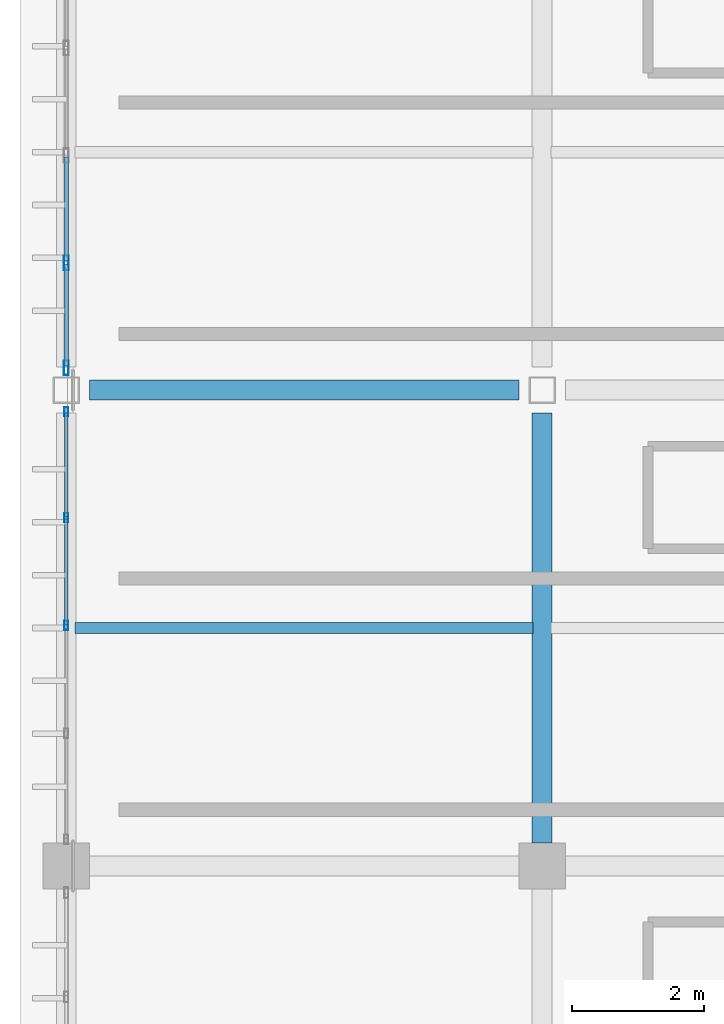
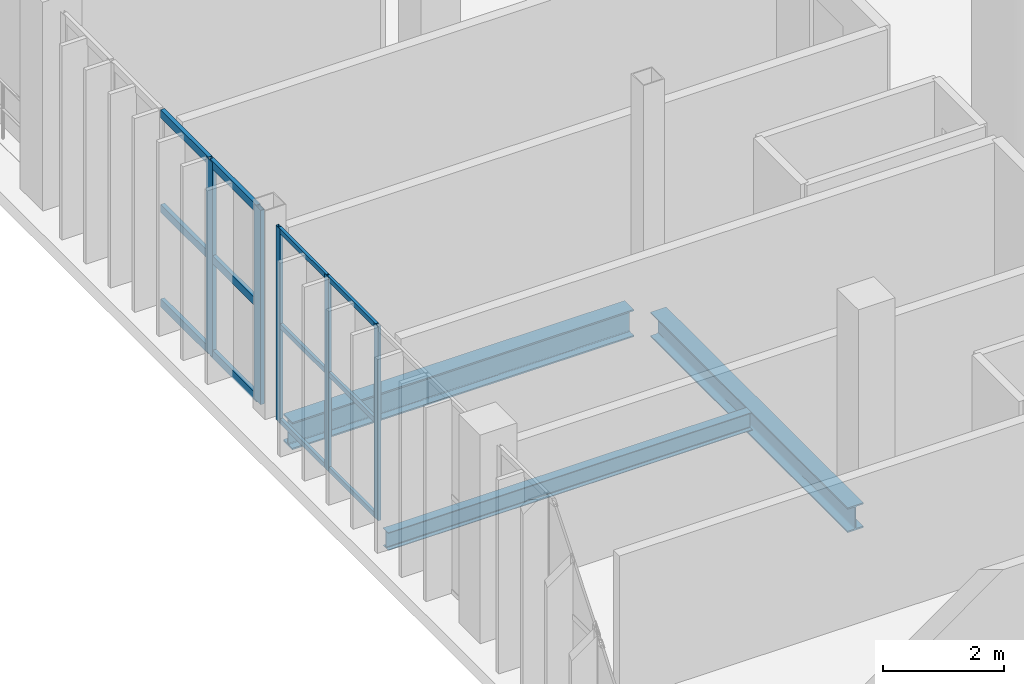
# One storey, part 22 of 130: 17 members, 3 beams, 2 elements without a shape of their own.
"""IFC4 building model written with IfcOpenShell, lengths in metres."""

from ifc_helpers import new_model, si_unit, direction, frame, origin, origin_2d, place, context, subcontext, project, spatial, hollow_rectangle, i_section, extrude, material, material_profile, profile_set, type_object, element, aggregate, save


model = new_model("IFC4")

# Units and contexts
model_context = context("Model", 3, precision=1e-05, world=origin(), true_north=direction((0.0, 1.0)))
body_context = subcontext(model_context, "Body", "Model", "MODEL_VIEW")
ifc_project = project(units=[si_unit("LENGTHUNIT", "METRE"), si_unit("AREAUNIT", "SQUARE_METRE"), si_unit("VOLUMEUNIT", "CUBIC_METRE"), si_unit("PLANEANGLEUNIT", "RADIAN"), si_unit("MASSUNIT", "GRAM", prefix="KILO")], contexts=[model_context])

# Site, building, storey
site_placement = place(None, origin())
site = spatial("IfcSite", under=ifc_project, at=site_placement, CompositionType="ELEMENT")
building_placement = place(site_placement, origin())
building = spatial("IfcBuilding", under=site, at=building_placement, Name="Qandorah Velis Arena", CompositionType="ELEMENT")
storey_placement = place(building_placement, frame((0.0, 0.0, 9.60009765625)))
storey = spatial("IfcBuildingStorey", under=building, at=storey_placement, Name="L02", CompositionType="ELEMENT", Elevation=9.60009765625)

# Curtain wall, members
ifc_material_1 = material(Name="Solar-control low-E double glazing", Category="glass")
curtain_wall_type_1 = type_object("IfcCurtainWallType", Name="ARC-CW-SYS12", PredefinedType="USERDEFINED", material=ifc_material_1)
curtain_wall_1_placement = place(storey_placement, origin())
curtain_wall_1 = element("IfcCurtainWall", 1, at=curtain_wall_1_placement, inside=storey, type_object=curtain_wall_type_1, Name="Unitised curtain wall L02-012", ObjectType="UNITISED CURTAIN WALL", PredefinedType="USERDEFINED")
ifc_material_2 = material(Name="Champagne-bronze anodized aluminium 6063-T6", Category="aluminium")
ifc_material_profile_1 = material_profile(ifc_material_2, hollow_rectangle(XDim=0.054931640625, YDim=0.139892578125, WallThickness=0.0029296875, at=origin_2d()), Name="ALU MULLION 55x140")
ifc_profile_set_1 = profile_set([ifc_material_profile_1], Name="Champagne-bronze anodized aluminium 6063-T6")
member_type_1 = type_object("IfcMemberType", Name="ARC-CWM-140", PredefinedType="MULLION", material=ifc_profile_set_1)
member_1_placement = place(storey_placement, frame((0.0, 25.237548828125, -0.01513671875), z_axis=(0.0, 0.0, 1.0), x_axis=(-1.0, 0.0, 0.0)))
member_1 = element("IfcMember", 2, at=member_1_placement, type_object=member_type_1, Name="CW12 mullion 3", PredefinedType="MULLION", context=body_context, shape_type="SweptSolid", body=[
    extrude(hollow_rectangle(XDim=0.054931640625, YDim=0.139892578125, WallThickness=0.0029296875, at=origin_2d()), origin(), (0.0, 0.0, 1.0), 3.91015625),
])
member_2_placement = place(storey_placement, frame((0.0, 26.86865234375, -0.01513671875), z_axis=(0.0, 0.0, 1.0), x_axis=(-1.0, 0.0, 0.0)))
member_2 = element("IfcMember", 3, at=member_2_placement, type_object=member_type_1, Name="CW12 mullion 4", PredefinedType="MULLION", context=body_context, shape_type="SweptSolid", body=[
    extrude(hollow_rectangle(XDim=0.054931640625, YDim=0.139892578125, WallThickness=0.0029296875, at=origin_2d()), origin(), (0.0, 0.0, 1.0), 3.91015625),
])
member_3_placement = place(storey_placement, frame((0.0, 28.472412109375, -0.01513671875), z_axis=(0.0, 0.0, 1.0), x_axis=(-1.0, 0.0, 0.0)))
member_3 = element("IfcMember", 4, at=member_3_placement, type_object=member_type_1, Name="CW12 mullion 5", PredefinedType="MULLION", context=body_context, shape_type="SweptSolid", body=[
    extrude(hollow_rectangle(XDim=0.054931640625, YDim=0.139892578125, WallThickness=0.0029296875, at=origin_2d()), origin(), (0.0, 0.0, 1.0), 3.91015625),
])

curtain_wall_type_2 = type_object("IfcCurtainWallType", Name="ARC-CW-SYS13", PredefinedType="USERDEFINED", material=ifc_material_1)
curtain_wall_2_placement = place(storey_placement, origin())
curtain_wall_2 = element("IfcCurtainWall", 5, at=curtain_wall_2_placement, inside=storey, type_object=curtain_wall_type_2, Name="Unitised curtain wall L02-013", ObjectType="UNITISED CURTAIN WALL", PredefinedType="USERDEFINED")
ifc_material_profile_2 = material_profile(ifc_material_2, hollow_rectangle(XDim=0.074951171875, YDim=0.219970703125, WallThickness=0.00390625, at=origin_2d()), Name="ALU MULLION 75x220")
ifc_profile_set_2 = profile_set([ifc_material_profile_2], Name="Champagne-bronze anodized aluminium 6063-T6")
member_type_2 = type_object("IfcMemberType", Name="ARC-CWM-220", PredefinedType="MULLION", material=ifc_profile_set_2)
member_4_placement = place(storey_placement, frame((0.0, 29.137451171875, -0.01513671875), z_axis=(0.0, 0.0, 1.0), x_axis=(-1.0, 0.0, 0.0)))
member_4 = element("IfcMember", 6, at=member_4_placement, type_object=member_type_2, Name="CW13 mullion 1", PredefinedType="MULLION", context=body_context, shape_type="SweptSolid", body=[
    extrude(hollow_rectangle(XDim=0.074951171875, YDim=0.219970703125, WallThickness=0.00390625, at=origin_2d()), origin(), (0.0, 0.0, 1.0), 3.91015625),
])
member_5_placement = place(storey_placement, frame((0.0, 30.72509765625, -0.01513671875), z_axis=(0.0, 0.0, 1.0), x_axis=(-1.0, 0.0, 0.0)))
member_5 = element("IfcMember", 7, at=member_5_placement, type_object=member_type_2, Name="CW13 mullion 2", PredefinedType="MULLION", context=body_context, shape_type="SweptSolid", body=[
    extrude(hollow_rectangle(XDim=0.074951171875, YDim=0.219970703125, WallThickness=0.00390625, at=origin_2d()), origin(), (0.0, 0.0, 1.0), 3.91015625),
])

# Member
ifc_material_profile_3 = material_profile(ifc_material_2, hollow_rectangle(XDim=0.054931640625, YDim=0.10009765625, WallThickness=0.0029296875, at=origin_2d()), Name="ALU TRANSOM 55x100")
ifc_profile_set_3 = profile_set([ifc_material_profile_3], Name="Champagne-bronze anodized aluminium 6063-T6")
member_type_3 = type_object("IfcMemberType", Name="ARC-CWT-100", PredefinedType="USERDEFINED", material=ifc_profile_set_3)
member_6_placement = place(storey_placement, frame((0.0, 25.2529296875, 0.02734375), z_axis=(0.0, 1.0, 0.0), x_axis=(-1.0, 0.0, 0.0)))
member_6 = element("IfcMember", 8, at=member_6_placement, type_object=member_type_3, Name="CW12 transom 3.1", ObjectType="TRANSOM", PredefinedType="USERDEFINED", context=body_context, shape_type="SweptSolid", body=[
    extrude(hollow_rectangle(XDim=0.054931640625, YDim=0.10009765625, WallThickness=0.0029296875, at=origin_2d()), origin(), (0.0, 0.0, 1.0), 1.600341796875),
])

member_7_placement = place(storey_placement, frame((0.0, 25.2529296875, 1.93994140625), z_axis=(0.0, 1.0, 0.0), x_axis=(-1.0, 0.0, 0.0)))
member_7 = element("IfcMember", 9, at=member_7_placement, type_object=member_type_3, Name="CW12 transom 3.2", ObjectType="TRANSOM", PredefinedType="USERDEFINED", context=body_context, shape_type="SweptSolid", body=[
    extrude(hollow_rectangle(XDim=0.054931640625, YDim=0.10009765625, WallThickness=0.0029296875, at=origin_2d()), origin(), (0.0, 0.0, 1.0), 1.600341796875),
])

member_8_placement = place(storey_placement, frame((0.0, 25.2529296875, 3.852294921875), z_axis=(0.0, 1.0, 0.0), x_axis=(-1.0, 0.0, 0.0)))
member_8 = element("IfcMember", 10, at=member_8_placement, type_object=member_type_3, Name="CW12 transom 3.3", ObjectType="TRANSOM", PredefinedType="USERDEFINED", context=body_context, shape_type="SweptSolid", body=[
    extrude(hollow_rectangle(XDim=0.054931640625, YDim=0.10009765625, WallThickness=0.0029296875, at=origin_2d()), origin(), (0.0, 0.0, 1.0), 1.600341796875),
])

member_9_placement = place(storey_placement, frame((0.0, 26.88427734375, 0.02734375), z_axis=(0.0, 1.0, 0.0), x_axis=(-1.0, 0.0, 0.0)))
member_9 = element("IfcMember", 11, at=member_9_placement, type_object=member_type_3, Name="CW12 transom 4.1", ObjectType="TRANSOM", PredefinedType="USERDEFINED", context=body_context, shape_type="SweptSolid", body=[
    extrude(hollow_rectangle(XDim=0.054931640625, YDim=0.10009765625, WallThickness=0.0029296875, at=origin_2d()), origin(), (0.0, 0.0, 1.0), 1.57275390625),
])

member_10_placement = place(storey_placement, frame((0.0, 26.88427734375, 1.93994140625), z_axis=(0.0, 1.0, 0.0), x_axis=(-1.0, 0.0, 0.0)))
member_10 = element("IfcMember", 12, at=member_10_placement, type_object=member_type_3, Name="CW12 transom 4.2", ObjectType="TRANSOM", PredefinedType="USERDEFINED", context=body_context, shape_type="SweptSolid", body=[
    extrude(hollow_rectangle(XDim=0.054931640625, YDim=0.10009765625, WallThickness=0.0029296875, at=origin_2d()), origin(), (0.0, 0.0, 1.0), 1.57275390625),
])

member_11_placement = place(storey_placement, frame((0.0, 26.88427734375, 3.852294921875), z_axis=(0.0, 1.0, 0.0), x_axis=(-1.0, 0.0, 0.0)))
member_11 = element("IfcMember", 13, at=member_11_placement, type_object=member_type_3, Name="CW12 transom 4.3", ObjectType="TRANSOM", PredefinedType="USERDEFINED", context=body_context, shape_type="SweptSolid", body=[
    extrude(hollow_rectangle(XDim=0.054931640625, YDim=0.10009765625, WallThickness=0.0029296875, at=origin_2d()), origin(), (0.0, 0.0, 1.0), 1.57275390625),
])

aggregate(curtain_wall_1, [member_1, member_2, member_3, member_6, member_7, member_8, member_9, member_10, member_11])

ifc_material_profile_4 = material_profile(ifc_material_2, hollow_rectangle(XDim=0.074951171875, YDim=0.159912109375, WallThickness=0.00341796875, at=origin_2d()), Name="ALU TRANSOM 75x160")
ifc_profile_set_4 = profile_set([ifc_material_profile_4], Name="Champagne-bronze anodized aluminium 6063-T6")
member_type_4 = type_object("IfcMemberType", Name="ARC-CWT-160", PredefinedType="USERDEFINED", material=ifc_profile_set_4)
member_12_placement = place(storey_placement, frame((0.0, 29.1630859375, 0.037353515625), z_axis=(0.0, 1.0, 0.0), x_axis=(-1.0, 0.0, 0.0)))
member_12 = element("IfcMember", 14, at=member_12_placement, type_object=member_type_4, Name="CW13 transom 1.1", ObjectType="TRANSOM", PredefinedType="USERDEFINED", context=body_context, shape_type="SweptSolid", body=[
    extrude(hollow_rectangle(XDim=0.074951171875, YDim=0.159912109375, WallThickness=0.00341796875, at=origin_2d()), origin(), (0.0, 0.0, 1.0), 1.536376953125),
])

member_13_placement = place(storey_placement, frame((0.0, 29.1630859375, 1.93994140625), z_axis=(0.0, 1.0, 0.0), x_axis=(-1.0, 0.0, 0.0)))
member_13 = element("IfcMember", 15, at=member_13_placement, type_object=member_type_4, Name="CW13 transom 1.2", ObjectType="TRANSOM", PredefinedType="USERDEFINED", context=body_context, shape_type="SweptSolid", body=[
    extrude(hollow_rectangle(XDim=0.074951171875, YDim=0.159912109375, WallThickness=0.00341796875, at=origin_2d()), origin(), (0.0, 0.0, 1.0), 1.536376953125),
])

member_14_placement = place(storey_placement, frame((0.0, 29.1630859375, 3.84228515625), z_axis=(0.0, 1.0, 0.0), x_axis=(-1.0, 0.0, 0.0)))
member_14 = element("IfcMember", 16, at=member_14_placement, type_object=member_type_4, Name="CW13 transom 1.3", ObjectType="TRANSOM", PredefinedType="USERDEFINED", context=body_context, shape_type="SweptSolid", body=[
    extrude(hollow_rectangle(XDim=0.074951171875, YDim=0.159912109375, WallThickness=0.00341796875, at=origin_2d()), origin(), (0.0, 0.0, 1.0), 1.536376953125),
])

member_15_placement = place(storey_placement, frame((0.0, 30.75048828125, 0.037353515625), z_axis=(0.0, 1.0, 0.0), x_axis=(-1.0, 0.0, 0.0)))
member_15 = element("IfcMember", 17, at=member_15_placement, type_object=member_type_4, Name="CW13 transom 2.1", ObjectType="TRANSOM", PredefinedType="USERDEFINED", context=body_context, shape_type="SweptSolid", body=[
    extrude(hollow_rectangle(XDim=0.074951171875, YDim=0.159912109375, WallThickness=0.00341796875, at=origin_2d()), origin(), (0.0, 0.0, 1.0), 1.573974609375),
])

member_16_placement = place(storey_placement, frame((0.0, 30.75048828125, 1.93994140625), z_axis=(0.0, 1.0, 0.0), x_axis=(-1.0, 0.0, 0.0)))
member_16 = element("IfcMember", 18, at=member_16_placement, type_object=member_type_4, Name="CW13 transom 2.2", ObjectType="TRANSOM", PredefinedType="USERDEFINED", context=body_context, shape_type="SweptSolid", body=[
    extrude(hollow_rectangle(XDim=0.074951171875, YDim=0.159912109375, WallThickness=0.00341796875, at=origin_2d()), origin(), (0.0, 0.0, 1.0), 1.573974609375),
])

member_17_placement = place(storey_placement, frame((0.0, 30.75048828125, 3.84228515625), z_axis=(0.0, 1.0, 0.0), x_axis=(-1.0, 0.0, 0.0)))
member_17 = element("IfcMember", 19, at=member_17_placement, type_object=member_type_4, Name="CW13 transom 2.3", ObjectType="TRANSOM", PredefinedType="USERDEFINED", context=body_context, shape_type="SweptSolid", body=[
    extrude(hollow_rectangle(XDim=0.074951171875, YDim=0.159912109375, WallThickness=0.00341796875, at=origin_2d()), origin(), (0.0, 0.0, 1.0), 1.573974609375),
])

aggregate(curtain_wall_2, [member_4, member_5, member_12, member_13, member_14, member_15, member_16, member_17])

# Beams
ifc_material_3 = material(Name="Steel S355", Category="steel")
ifc_material_profile_5 = material_profile(ifc_material_3, i_section(OverallWidth=0.300048828125, OverallDepth=0.5, WebThickness=0.014404296875, FlangeThickness=0.028076171875, FilletRadius=0.027099609375, at=origin_2d()), Name="HEB 500")
ifc_profile_set_5 = profile_set([ifc_material_profile_5], Name="Steel S355")
beam_type_1 = type_object("IfcBeamType", Name="STR-BM-HEB500", PredefinedType="BEAM", material=ifc_profile_set_5)
beam_1_placement = place(storey_placement, frame((7.199951171875, 21.949951171875, -0.530029296875), z_axis=(0.0, 1.0, 0.0), x_axis=(-1.0, 0.0, 0.0)))
element("IfcBeam", 20, at=beam_1_placement, inside=storey, type_object=beam_type_1, Name="Primary floor girder L02 Y-199", PredefinedType="BEAM", context=body_context, shape_type="SweptSolid", body=[
    extrude(i_section(OverallWidth=0.300048828125, OverallDepth=0.5, WebThickness=0.014404296875, FlangeThickness=0.028076171875, FilletRadius=0.027099609375, at=origin_2d()), origin(), (0.0, 0.0, 1.0), 6.5),
])
ifc_material_profile_6 = material_profile(ifc_material_3, i_section(OverallWidth=0.300048828125, OverallDepth=0.550048828125, WebThickness=0.014892578125, FlangeThickness=0.029052734375, FilletRadius=0.027099609375, at=origin_2d()), Name="HEB 550")
ifc_profile_set_6 = profile_set([ifc_material_profile_6], Name="Steel S355")
beam_type_2 = type_object("IfcBeamType", Name="STR-BM-HEB550", PredefinedType="BEAM", material=ifc_profile_set_6)
beam_2_placement = place(storey_placement, frame((0.35009765625, 28.800048828125, -0.55517578125), z_axis=(1.0, 0.0, 0.0), x_axis=(0.0, 1.0, 0.0)))
element("IfcBeam", 21, at=beam_2_placement, inside=storey, type_object=beam_type_2, Name="Primary floor girder L02 X-057", PredefinedType="BEAM", context=body_context, shape_type="SweptSolid", body=[
    extrude(i_section(OverallWidth=0.300048828125, OverallDepth=0.550048828125, WebThickness=0.014892578125, FlangeThickness=0.029052734375, FilletRadius=0.027099609375, at=origin_2d()), origin(), (0.0, 0.0, 1.0), 6.5),
])
ifc_material_profile_7 = material_profile(ifc_material_3, i_section(OverallWidth=0.169921875, OverallDepth=0.360107421875, WebThickness=0.008056640625, FlangeThickness=0.0126953125, FilletRadius=0.01806640625, at=origin_2d()), Name="IPE 360")
ifc_profile_set_7 = profile_set([ifc_material_profile_7], Name="Steel S355")
beam_type_3 = type_object("IfcBeamType", Name="STR-JST-IPE360", PredefinedType="JOIST", material=ifc_profile_set_7)
beam_3_placement = place(storey_placement, frame((0.135009765625, 25.199951171875, -0.460205078125), z_axis=(1.0, 0.0, 0.0), x_axis=(0.0, 1.0, 0.0)))
element("IfcBeam", 22, at=beam_3_placement, inside=storey, type_object=beam_type_3, Name="Secondary floor joist L02-002", PredefinedType="JOIST", context=body_context, shape_type="SweptSolid", body=[
    extrude(i_section(OverallWidth=0.169921875, OverallDepth=0.360107421875, WebThickness=0.008056640625, FlangeThickness=0.0126953125, FilletRadius=0.01806640625, at=origin_2d()), origin(), (0.0, 0.0, 1.0), 6.929931640625),
])

save(model, "model.ifc")
